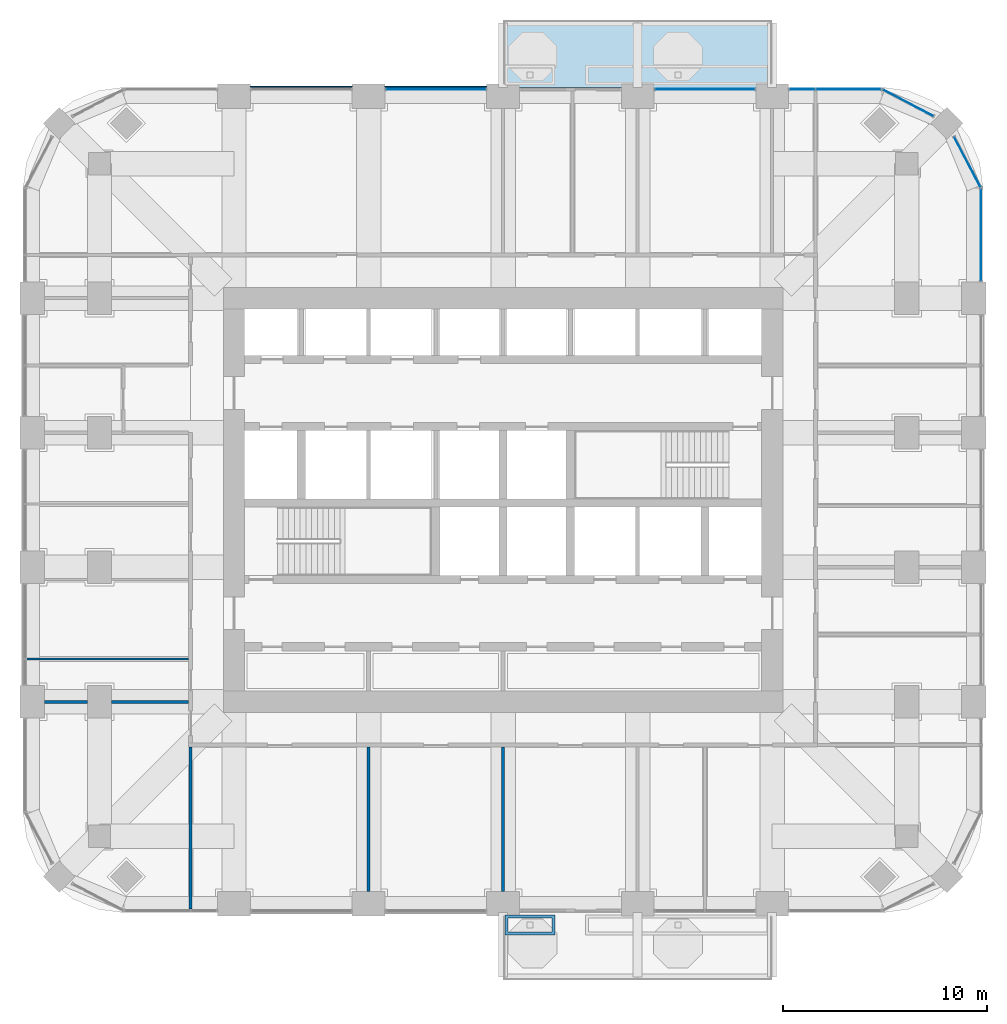
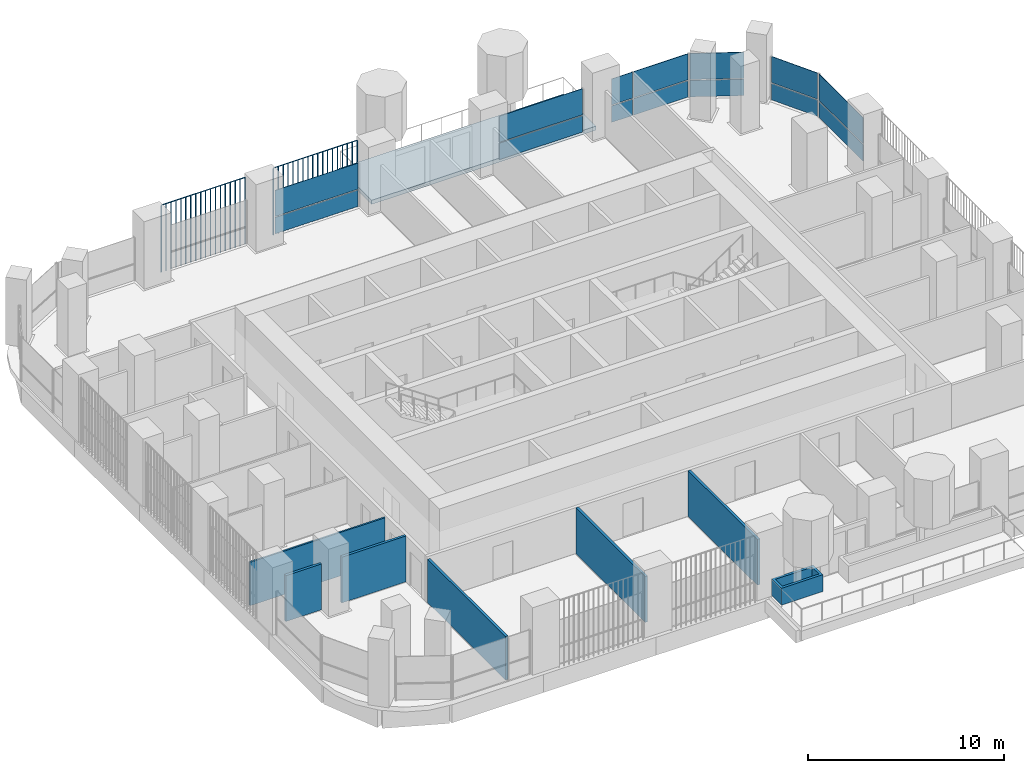
# One storey, part 12 of 20: 16 plates, 7 walls, 1 slab, 6 elements without a shape of their own.
"""IFC4 building model written with IfcOpenShell, lengths in metres."""

from ifc_helpers import new_model, si_unit, direction, frame, frame_2d, origin, origin_2d, place, context, subcontext, project, spatial, polyline, rectangle, outline, extrude, material, layer, layer_set, type_object, element, aggregate, save


model = new_model("IFC4")

# Units and contexts
model_context = context("Model", 3, precision=1e-05, world=origin(), true_north=direction((0.0, 1.0)))
body_context = subcontext(model_context, "Body", "Model", "MODEL_VIEW")
ifc_project = project(units=[si_unit("LENGTHUNIT", "METRE"), si_unit("AREAUNIT", "SQUARE_METRE"), si_unit("VOLUMEUNIT", "CUBIC_METRE"), si_unit("PLANEANGLEUNIT", "RADIAN"), si_unit("MASSUNIT", "GRAM", prefix="KILO")], contexts=[model_context])

# Site, building, storey
site_placement = place(None, origin())
site = spatial("IfcSite", under=ifc_project, at=site_placement, CompositionType="ELEMENT")
building_placement = place(site_placement, origin())
building = spatial("IfcBuilding", under=site, at=building_placement, Name="Cobogo Forest Laboratory Tower", CompositionType="ELEMENT")
storey_placement = place(building_placement, frame((0.0, 0.0, 189.300048828125)))
storey = spatial("IfcBuildingStorey", under=building, at=storey_placement, Name="L43", CompositionType="ELEMENT", Elevation=189.300048828125)

# Slab
ifc_material_1 = material(Name="Concrete HA-40 (C40/50)", Category="concrete")
ifc_layer_1 = layer(ifc_material_1, 0.25)
ifc_layer_set_1 = layer_set([ifc_layer_1], Name="Balcony slab 250")
slab_type = type_object("IfcSlabType", Name="Balcony slab 250", PredefinedType="FLOOR", material=ifc_layer_set_1)
slab_placement = place(storey_placement, frame((0.0, 0.0, -0.25)))
element("IfcSlab", 1, at=slab_placement, inside=storey, type_object=slab_type, Name="Balcony BAL-N1 L43", PredefinedType="FLOOR", context=body_context, shape_type="SweptSolid", body=[
    extrude(outline(polyline([(26.39990234375, 43.35009765625), (39.60009765625, 43.35009765625), (39.60009765625, 46.64990234375), (26.39990234375, 46.64990234375), (26.39990234375, 43.35009765625)])), origin(), (0.0, 0.0, 1.0), 0.25),
])

# Curtain wall, plates
ifc_material_2 = material(Name="Aluminium curtain wall", Category="aluminium")
curtain_wall_type = type_object("IfcCurtainWallType", Name="CW-2 unitised curtain wall, solar control glazing, laboratory floors zones C and D", PredefinedType="USERDEFINED", material=ifc_material_2)
curtain_wall_1_placement = place(storey_placement, origin())
curtain_wall_1 = element("IfcCurtainWall", 2, at=curtain_wall_1_placement, inside=storey, type_object=curtain_wall_type, Name="Curtain wall 13 L43", ObjectType="UNITISED CURTAIN WALL", PredefinedType="USERDEFINED")
ifc_material_3 = material(Name="Solar control insulated glass", Category="glass")
ifc_layer_2 = layer(ifc_material_3, 0.031982421875)
ifc_layer_set_2 = layer_set([ifc_layer_2], Name="GP-2 solar control glass unit 32")
plate_type_1 = type_object("IfcPlateType", Name="GP-2 solar control glass unit 32", PredefinedType="CURTAIN_PANEL", material=ifc_layer_set_2)
plate_1_placement = place(storey_placement, frame((49.85009765625, 36.10009765625, 0.0), z_axis=(0.0, 0.0, 1.0), x_axis=(0.0, 1.0, 0.0)))
plate_1 = element("IfcPlate", 3, at=plate_1_placement, type_object=plate_type_1, Name="CW-2 panel 1.1", PredefinedType="CURTAIN_PANEL", context=body_context, shape_type="SweptSolid", body=[
    extrude(rectangle(XDim=4.47998046875, YDim=0.031982421875, at=origin_2d()), origin(), (0.0, 0.0, 1.0), 1.02001953125),
])
plate_2_placement = place(storey_placement, frame((49.85009765625, 36.10009765625, 1.079833984375), z_axis=(0.0, 0.0, 1.0), x_axis=(0.0, 1.0, 0.0)))
plate_2 = element("IfcPlate", 4, at=plate_2_placement, type_object=plate_type_1, Name="CW-2 panel 1.2", PredefinedType="CURTAIN_PANEL", context=body_context, shape_type="SweptSolid", body=[
    extrude(rectangle(XDim=4.47998046875, YDim=0.031982421875, at=origin_2d()), origin(), (0.0, 0.0, 1.0), 1.6201171875),
])
aggregate(curtain_wall_1, [plate_1, plate_2])

curtain_wall_2_placement = place(storey_placement, origin())
curtain_wall_2 = element("IfcCurtainWall", 5, at=curtain_wall_2_placement, inside=storey, type_object=curtain_wall_type, Name="Curtain wall 14 L43", ObjectType="UNITISED CURTAIN WALL", PredefinedType="USERDEFINED")
plate_3_placement = place(storey_placement, frame((49.181396484375, 39.675537109375, 0.0), z_axis=(0.0, 0.0, 1.0), x_axis=(-0.464283804832, 0.885686484356, 0.0)))
plate_3 = element("IfcPlate", 6, at=plate_3_placement, type_object=plate_type_1, Name="CW-2 panel 1.1", PredefinedType="CURTAIN_PANEL", context=body_context, shape_type="SweptSolid", body=[
    extrude(rectangle(XDim=2.76025390625, YDim=0.031982421875, at=origin_2d()), origin(), (0.0, 0.0, 1.0), 1.02001953125),
])
plate_4_placement = place(storey_placement, frame((49.181396484375, 39.675537109375, 1.079833984375), z_axis=(0.0, 0.0, 1.0), x_axis=(-0.464283804832, 0.885686484356, 0.0)))
plate_4 = element("IfcPlate", 7, at=plate_4_placement, type_object=plate_type_1, Name="CW-2 panel 1.2", PredefinedType="CURTAIN_PANEL", context=body_context, shape_type="SweptSolid", body=[
    extrude(rectangle(XDim=2.76025390625, YDim=0.031982421875, at=origin_2d()), origin(), (0.0, 0.0, 1.0), 1.6201171875),
])
aggregate(curtain_wall_2, [plate_3, plate_4])

curtain_wall_3_placement = place(storey_placement, origin())
curtain_wall_3 = element("IfcCurtainWall", 8, at=curtain_wall_3_placement, inside=storey, type_object=curtain_wall_type, Name="Curtain wall 15 L43", ObjectType="UNITISED CURTAIN WALL", PredefinedType="USERDEFINED")
plate_5_placement = place(storey_placement, frame((46.275634765625, 42.581298828125, 0.0), z_axis=(0.0, 0.0, 1.0), x_axis=(-0.885686484356, 0.464283804832, 0.0)))
plate_5 = element("IfcPlate", 9, at=plate_5_placement, type_object=plate_type_1, Name="CW-2 panel 1.1", PredefinedType="CURTAIN_PANEL", context=body_context, shape_type="SweptSolid", body=[
    extrude(rectangle(XDim=2.76025390625, YDim=0.031982421875, at=origin_2d()), origin(), (0.0, 0.0, 1.0), 1.02001953125),
])
plate_6_placement = place(storey_placement, frame((46.275634765625, 42.581298828125, 1.079833984375), z_axis=(0.0, 0.0, 1.0), x_axis=(-0.885686484356, 0.464283804832, 0.0)))
plate_6 = element("IfcPlate", 10, at=plate_6_placement, type_object=plate_type_1, Name="CW-2 panel 1.2", PredefinedType="CURTAIN_PANEL", context=body_context, shape_type="SweptSolid", body=[
    extrude(rectangle(XDim=2.76025390625, YDim=0.031982421875, at=origin_2d()), origin(), (0.0, 0.0, 1.0), 1.6201171875),
])
aggregate(curtain_wall_3, [plate_5, plate_6])

curtain_wall_4_placement = place(storey_placement, origin())
curtain_wall_4 = element("IfcCurtainWall", 11, at=curtain_wall_4_placement, inside=storey, type_object=curtain_wall_type, Name="Curtain wall 16 L43", ObjectType="UNITISED CURTAIN WALL", PredefinedType="USERDEFINED")
plate_7_placement = place(storey_placement, frame((43.347412109375, 43.25, 0.0), z_axis=(0.0, 0.0, 1.0), x_axis=(-1.0, 0.0, 0.0)))
plate_7 = element("IfcPlate", 12, at=plate_7_placement, type_object=plate_type_1, Name="CW-2 panel 1.1", PredefinedType="CURTAIN_PANEL", context=body_context, shape_type="SweptSolid", body=[
    extrude(rectangle(XDim=3.18505859375, YDim=0.031982421875, at=origin_2d()), origin(), (0.0, 0.0, 1.0), 1.02001953125),
])
plate_8_placement = place(storey_placement, frame((43.347412109375, 43.25, 1.079833984375), z_axis=(0.0, 0.0, 1.0), x_axis=(-1.0, 0.0, 0.0)))
plate_8 = element("IfcPlate", 13, at=plate_8_placement, type_object=plate_type_1, Name="CW-2 panel 1.2", PredefinedType="CURTAIN_PANEL", context=body_context, shape_type="SweptSolid", body=[
    extrude(rectangle(XDim=3.18505859375, YDim=0.031982421875, at=origin_2d()), origin(), (0.0, 0.0, 1.0), 1.6201171875),
])
plate_9_placement = place(storey_placement, frame((41.077392578125, 43.25, 0.0), z_axis=(0.0, 0.0, 1.0), x_axis=(-1.0, 0.0, 0.0)))
plate_9 = element("IfcPlate", 14, at=plate_9_placement, type_object=plate_type_1, Name="CW-2 panel 2.1", PredefinedType="CURTAIN_PANEL", context=body_context, shape_type="SweptSolid", body=[
    extrude(rectangle(XDim=1.235107421875, YDim=0.031982421875, at=origin_2d()), origin(), (0.0, 0.0, 1.0), 1.02001953125),
])
plate_10_placement = place(storey_placement, frame((41.077392578125, 43.25, 1.079833984375), z_axis=(0.0, 0.0, 1.0), x_axis=(-1.0, 0.0, 0.0)))
plate_10 = element("IfcPlate", 15, at=plate_10_placement, type_object=plate_type_1, Name="CW-2 panel 2.2", PredefinedType="CURTAIN_PANEL", context=body_context, shape_type="SweptSolid", body=[
    extrude(rectangle(XDim=1.235107421875, YDim=0.031982421875, at=origin_2d()), origin(), (0.0, 0.0, 1.0), 1.6201171875),
])
aggregate(curtain_wall_4, [plate_7, plate_8, plate_9, plate_10])

curtain_wall_5_placement = place(storey_placement, origin())
curtain_wall_5 = element("IfcCurtainWall", 16, at=curtain_wall_5_placement, inside=storey, type_object=curtain_wall_type, Name="Curtain wall 17 L43", ObjectType="UNITISED CURTAIN WALL", PredefinedType="USERDEFINED")
plate_11_placement = place(storey_placement, frame((36.300048828125, 43.25, 0.0), z_axis=(0.0, 0.0, 1.0), x_axis=(-1.0, 0.0, 0.0)))
plate_11 = element("IfcPlate", 17, at=plate_11_placement, type_object=plate_type_1, Name="CW-2 panel 1.1", PredefinedType="CURTAIN_PANEL", context=body_context, shape_type="SweptSolid", body=[
    extrude(rectangle(XDim=4.8798828125, YDim=0.031982421875, at=origin_2d()), origin(), (0.0, 0.0, 1.0), 1.02001953125),
])
plate_12_placement = place(storey_placement, frame((36.300048828125, 43.25, 1.079833984375), z_axis=(0.0, 0.0, 1.0), x_axis=(-1.0, 0.0, 0.0)))
plate_12 = element("IfcPlate", 18, at=plate_12_placement, type_object=plate_type_1, Name="CW-2 panel 1.2", PredefinedType="CURTAIN_PANEL", context=body_context, shape_type="SweptSolid", body=[
    extrude(rectangle(XDim=4.8798828125, YDim=0.031982421875, at=origin_2d()), origin(), (0.0, 0.0, 1.0), 1.6201171875),
])
aggregate(curtain_wall_5, [plate_11, plate_12])

curtain_wall_6_placement = place(storey_placement, origin())
curtain_wall_6 = element("IfcCurtainWall", 19, at=curtain_wall_6_placement, inside=storey, type_object=curtain_wall_type, Name="Curtain wall 19 L43", ObjectType="UNITISED CURTAIN WALL", PredefinedType="USERDEFINED")
plate_13_placement = place(storey_placement, frame((23.10009765625, 43.25, 0.0), z_axis=(0.0, 0.0, 1.0), x_axis=(-1.0, 0.0, 0.0)))
plate_13 = element("IfcPlate", 20, at=plate_13_placement, type_object=plate_type_1, Name="CW-2 panel 1.1", PredefinedType="CURTAIN_PANEL", context=body_context, shape_type="SweptSolid", body=[
    extrude(rectangle(XDim=4.8798828125, YDim=0.031982421875, at=origin_2d()), origin(), (0.0, 0.0, 1.0), 1.02001953125),
])
plate_14_placement = place(storey_placement, frame((23.10009765625, 43.25, 1.079833984375), z_axis=(0.0, 0.0, 1.0), x_axis=(-1.0, 0.0, 0.0)))
plate_14 = element("IfcPlate", 21, at=plate_14_placement, type_object=plate_type_1, Name="CW-2 panel 1.2", PredefinedType="CURTAIN_PANEL", context=body_context, shape_type="SweptSolid", body=[
    extrude(rectangle(XDim=4.8798828125, YDim=0.031982421875, at=origin_2d()), origin(), (0.0, 0.0, 1.0), 1.6201171875),
])
aggregate(curtain_wall_6, [plate_13, plate_14])

# Plates
ifc_material_4 = material(Name="Terracotta", Category="masonry")
plate_type_2 = type_object("IfcPlateType", Name="TB1 terracotta baguette screen", PredefinedType="USERDEFINED", material=ifc_material_4)
plate_15_placement = place(storey_placement, frame((14.03125, 43.3779296875, -0.150146484375)))
element("IfcPlate", 22, at=plate_15_placement, inside=storey, type_object=plate_type_2, Name="Baguette screen N1 L43", ObjectType="BAGUETTE SCREEN", PredefinedType="USERDEFINED", context=body_context, shape_type="SweptSolid", body=[
    extrude(outline(polyline([(0.02880859375, 0.011962890625), (0.011962890625, 0.02880859375), (-0.011962890625, 0.02880859375), (-0.02880859375, 0.011962890625), (-0.02880859375, -0.011962890625), (-0.011962890625, -0.02880859375), (0.011962890625, -0.02880859375), (0.02880859375, -0.011962890625), (0.02880859375, 0.011962890625)])), frame((0.0, 0.0, 4.168701171875), z_axis=(1.0, 0.0, 0.0), x_axis=(0.0, 1.0, 0.0)), (0.0, 0.0, 1.0), 4.9375),
    extrude(outline(polyline([(0.02880859375, 0.011962890625), (0.011962890625, 0.02880859375), (-0.011962890625, 0.02880859375), (-0.02880859375, 0.011962890625), (-0.02880859375, -0.011962890625), (-0.011962890625, -0.02880859375), (0.011962890625, -0.02880859375), (0.02880859375, -0.011962890625), (0.02880859375, 0.011962890625)])), origin(), (0.0, 0.0, 1.0), 4.137451171875),
    extrude(outline(polyline([(0.02880859375, 0.011962890625), (0.011962890625, 0.02880859375), (-0.011962890625, 0.02880859375), (-0.02880859375, 0.011962890625), (-0.02880859375, -0.011962890625), (-0.011962890625, -0.02880859375), (0.011962890625, -0.02880859375), (0.02880859375, -0.011962890625), (0.02880859375, 0.011962890625)])), frame((0.29052734375, 0.0, 0.0)), (0.0, 0.0, 1.0), 4.137451171875),
    extrude(outline(polyline([(0.02880859375, 0.011962890625), (0.011962890625, 0.02880859375), (-0.011962890625, 0.02880859375), (-0.02880859375, 0.011962890625), (-0.02880859375, -0.011962890625), (-0.011962890625, -0.02880859375), (0.011962890625, -0.02880859375), (0.02880859375, -0.011962890625), (0.02880859375, 0.011962890625)])), frame((0.580810546875, 0.0, 0.0)), (0.0, 0.0, 1.0), 4.137451171875),
    extrude(outline(polyline([(0.02880859375, 0.011962890625), (0.011962890625, 0.02880859375), (-0.011962890625, 0.02880859375), (-0.02880859375, 0.011962890625), (-0.02880859375, -0.011962890625), (-0.011962890625, -0.02880859375), (0.011962890625, -0.02880859375), (0.02880859375, -0.011962890625), (0.02880859375, 0.011962890625)])), frame((0.871337890625, 0.0, 0.0)), (0.0, 0.0, 1.0), 4.137451171875),
    extrude(outline(polyline([(0.02880859375, 0.011962890625), (0.011962890625, 0.02880859375), (-0.011962890625, 0.02880859375), (-0.02880859375, 0.011962890625), (-0.02880859375, -0.011962890625), (-0.011962890625, -0.02880859375), (0.011962890625, -0.02880859375), (0.02880859375, -0.011962890625), (0.02880859375, 0.011962890625)])), frame((1.161865234375, 0.0, 0.0)), (0.0, 0.0, 1.0), 4.137451171875),
    extrude(outline(polyline([(0.02880859375, 0.011962890625), (0.011962890625, 0.02880859375), (-0.011962890625, 0.02880859375), (-0.02880859375, 0.011962890625), (-0.02880859375, -0.011962890625), (-0.011962890625, -0.02880859375), (0.011962890625, -0.02880859375), (0.02880859375, -0.011962890625), (0.02880859375, 0.011962890625)])), frame((1.4521484375, 0.0, 0.0)), (0.0, 0.0, 1.0), 4.137451171875),
    extrude(outline(polyline([(0.02880859375, 0.011962890625), (0.011962890625, 0.02880859375), (-0.011962890625, 0.02880859375), (-0.02880859375, 0.011962890625), (-0.02880859375, -0.011962890625), (-0.011962890625, -0.02880859375), (0.011962890625, -0.02880859375), (0.02880859375, -0.011962890625), (0.02880859375, 0.011962890625)])), frame((1.74267578125, 0.0, 0.0)), (0.0, 0.0, 1.0), 4.137451171875),
    extrude(outline(polyline([(0.02880859375, 0.011962890625), (0.011962890625, 0.02880859375), (-0.011962890625, 0.02880859375), (-0.02880859375, 0.011962890625), (-0.02880859375, -0.011962890625), (-0.011962890625, -0.02880859375), (0.011962890625, -0.02880859375), (0.02880859375, -0.011962890625), (0.02880859375, 0.011962890625)])), frame((2.033203125, 0.0, 0.0)), (0.0, 0.0, 1.0), 4.137451171875),
    extrude(outline(polyline([(0.02880859375, 0.011962890625), (0.011962890625, 0.02880859375), (-0.011962890625, 0.02880859375), (-0.02880859375, 0.011962890625), (-0.02880859375, -0.011962890625), (-0.011962890625, -0.02880859375), (0.011962890625, -0.02880859375), (0.02880859375, -0.011962890625), (0.02880859375, 0.011962890625)])), frame((2.323486328125, 0.0, 0.0)), (0.0, 0.0, 1.0), 4.137451171875),
    extrude(outline(polyline([(0.02880859375, 0.011962890625), (0.011962890625, 0.02880859375), (-0.011962890625, 0.02880859375), (-0.02880859375, 0.011962890625), (-0.02880859375, -0.011962890625), (-0.011962890625, -0.02880859375), (0.011962890625, -0.02880859375), (0.02880859375, -0.011962890625), (0.02880859375, 0.011962890625)])), frame((2.614013671875, 0.0, 0.0)), (0.0, 0.0, 1.0), 4.137451171875),
    extrude(outline(polyline([(0.02880859375, 0.011962890625), (0.011962890625, 0.02880859375), (-0.011962890625, 0.02880859375), (-0.02880859375, 0.011962890625), (-0.02880859375, -0.011962890625), (-0.011962890625, -0.02880859375), (0.011962890625, -0.02880859375), (0.02880859375, -0.011962890625), (0.02880859375, 0.011962890625)])), frame((2.904296875, 0.0, 0.0)), (0.0, 0.0, 1.0), 4.137451171875),
    extrude(outline(polyline([(0.02880859375, 0.011962890625), (0.011962890625, 0.02880859375), (-0.011962890625, 0.02880859375), (-0.02880859375, 0.011962890625), (-0.02880859375, -0.011962890625), (-0.011962890625, -0.02880859375), (0.011962890625, -0.02880859375), (0.02880859375, -0.011962890625), (0.02880859375, 0.011962890625)])), frame((3.19482421875, 0.0, 0.0)), (0.0, 0.0, 1.0), 4.137451171875),
    extrude(outline(polyline([(0.02880859375, 0.011962890625), (0.011962890625, 0.02880859375), (-0.011962890625, 0.02880859375), (-0.02880859375, 0.011962890625), (-0.02880859375, -0.011962890625), (-0.011962890625, -0.02880859375), (0.011962890625, -0.02880859375), (0.02880859375, -0.011962890625), (0.02880859375, 0.011962890625)])), frame((3.4853515625, 0.0, 0.0)), (0.0, 0.0, 1.0), 4.137451171875),
    extrude(outline(polyline([(0.02880859375, 0.011962890625), (0.011962890625, 0.02880859375), (-0.011962890625, 0.02880859375), (-0.02880859375, 0.011962890625), (-0.02880859375, -0.011962890625), (-0.011962890625, -0.02880859375), (0.011962890625, -0.02880859375), (0.02880859375, -0.011962890625), (0.02880859375, 0.011962890625)])), frame((3.775634765625, 0.0, 0.0)), (0.0, 0.0, 1.0), 4.137451171875),
    extrude(outline(polyline([(0.02880859375, 0.011962890625), (0.011962890625, 0.02880859375), (-0.011962890625, 0.02880859375), (-0.02880859375, 0.011962890625), (-0.02880859375, -0.011962890625), (-0.011962890625, -0.02880859375), (0.011962890625, -0.02880859375), (0.02880859375, -0.011962890625), (0.02880859375, 0.011962890625)])), frame((4.066162109375, 0.0, 0.0)), (0.0, 0.0, 1.0), 4.137451171875),
    extrude(outline(polyline([(0.02880859375, 0.011962890625), (0.011962890625, 0.02880859375), (-0.011962890625, 0.02880859375), (-0.02880859375, 0.011962890625), (-0.02880859375, -0.011962890625), (-0.011962890625, -0.02880859375), (0.011962890625, -0.02880859375), (0.02880859375, -0.011962890625), (0.02880859375, 0.011962890625)])), frame((4.356689453125, 0.0, 0.0)), (0.0, 0.0, 1.0), 4.137451171875),
    extrude(outline(polyline([(0.02880859375, 0.011962890625), (0.011962890625, 0.02880859375), (-0.011962890625, 0.02880859375), (-0.02880859375, 0.011962890625), (-0.02880859375, -0.011962890625), (-0.011962890625, -0.02880859375), (0.011962890625, -0.02880859375), (0.02880859375, -0.011962890625), (0.02880859375, 0.011962890625)])), frame((4.64697265625, 0.0, 0.0)), (0.0, 0.0, 1.0), 4.137451171875),
    extrude(outline(polyline([(0.02880859375, 0.011962890625), (0.011962890625, 0.02880859375), (-0.011962890625, 0.02880859375), (-0.02880859375, 0.011962890625), (-0.02880859375, -0.011962890625), (-0.011962890625, -0.02880859375), (0.011962890625, -0.02880859375), (0.02880859375, -0.011962890625), (0.02880859375, 0.011962890625)])), frame((4.9375, 0.0, 0.0)), (0.0, 0.0, 1.0), 4.137451171875),
])
plate_16_placement = place(storey_placement, frame((20.63134765625, 43.3779296875, -0.150146484375)))
element("IfcPlate", 23, at=plate_16_placement, inside=storey, type_object=plate_type_2, Name="Baguette screen N2 L43", ObjectType="BAGUETTE SCREEN", PredefinedType="USERDEFINED", context=body_context, shape_type="SweptSolid", body=[
    extrude(outline(polyline([(0.02880859375, 0.011962890625), (0.011962890625, 0.02880859375), (-0.011962890625, 0.02880859375), (-0.02880859375, 0.011962890625), (-0.02880859375, -0.011962890625), (-0.011962890625, -0.02880859375), (0.011962890625, -0.02880859375), (0.02880859375, -0.011962890625), (0.02880859375, 0.011962890625)])), frame((0.0, 0.0, 4.168701171875), z_axis=(1.0, 0.0, 0.0), x_axis=(0.0, 1.0, 0.0)), (0.0, 0.0, 1.0), 4.9375),
    extrude(outline(polyline([(0.02880859375, 0.011962890625), (0.011962890625, 0.02880859375), (-0.011962890625, 0.02880859375), (-0.02880859375, 0.011962890625), (-0.02880859375, -0.011962890625), (-0.011962890625, -0.02880859375), (0.011962890625, -0.02880859375), (0.02880859375, -0.011962890625), (0.02880859375, 0.011962890625)])), origin(), (0.0, 0.0, 1.0), 4.137451171875),
    extrude(outline(polyline([(0.02880859375, 0.011962890625), (0.011962890625, 0.02880859375), (-0.011962890625, 0.02880859375), (-0.02880859375, 0.011962890625), (-0.02880859375, -0.011962890625), (-0.011962890625, -0.02880859375), (0.011962890625, -0.02880859375), (0.02880859375, -0.011962890625), (0.02880859375, 0.011962890625)])), frame((0.29052734375, 0.0, 0.0)), (0.0, 0.0, 1.0), 4.137451171875),
    extrude(outline(polyline([(0.02880859375, 0.011962890625), (0.011962890625, 0.02880859375), (-0.011962890625, 0.02880859375), (-0.02880859375, 0.011962890625), (-0.02880859375, -0.011962890625), (-0.011962890625, -0.02880859375), (0.011962890625, -0.02880859375), (0.02880859375, -0.011962890625), (0.02880859375, 0.011962890625)])), frame((0.580810546875, 0.0, 0.0)), (0.0, 0.0, 1.0), 4.137451171875),
    extrude(outline(polyline([(0.02880859375, 0.011962890625), (0.011962890625, 0.02880859375), (-0.011962890625, 0.02880859375), (-0.02880859375, 0.011962890625), (-0.02880859375, -0.011962890625), (-0.011962890625, -0.02880859375), (0.011962890625, -0.02880859375), (0.02880859375, -0.011962890625), (0.02880859375, 0.011962890625)])), frame((0.871337890625, 0.0, 0.0)), (0.0, 0.0, 1.0), 4.137451171875),
    extrude(outline(polyline([(0.02880859375, 0.011962890625), (0.011962890625, 0.02880859375), (-0.011962890625, 0.02880859375), (-0.02880859375, 0.011962890625), (-0.02880859375, -0.011962890625), (-0.011962890625, -0.02880859375), (0.011962890625, -0.02880859375), (0.02880859375, -0.011962890625), (0.02880859375, 0.011962890625)])), frame((1.161865234375, 0.0, 0.0)), (0.0, 0.0, 1.0), 4.137451171875),
    extrude(outline(polyline([(0.02880859375, 0.011962890625), (0.011962890625, 0.02880859375), (-0.011962890625, 0.02880859375), (-0.02880859375, 0.011962890625), (-0.02880859375, -0.011962890625), (-0.011962890625, -0.02880859375), (0.011962890625, -0.02880859375), (0.02880859375, -0.011962890625), (0.02880859375, 0.011962890625)])), frame((1.4521484375, 0.0, 0.0)), (0.0, 0.0, 1.0), 4.137451171875),
    extrude(outline(polyline([(0.02880859375, 0.011962890625), (0.011962890625, 0.02880859375), (-0.011962890625, 0.02880859375), (-0.02880859375, 0.011962890625), (-0.02880859375, -0.011962890625), (-0.011962890625, -0.02880859375), (0.011962890625, -0.02880859375), (0.02880859375, -0.011962890625), (0.02880859375, 0.011962890625)])), frame((1.74267578125, 0.0, 0.0)), (0.0, 0.0, 1.0), 4.137451171875),
    extrude(outline(polyline([(0.02880859375, 0.011962890625), (0.011962890625, 0.02880859375), (-0.011962890625, 0.02880859375), (-0.02880859375, 0.011962890625), (-0.02880859375, -0.011962890625), (-0.011962890625, -0.02880859375), (0.011962890625, -0.02880859375), (0.02880859375, -0.011962890625), (0.02880859375, 0.011962890625)])), frame((2.033203125, 0.0, 0.0)), (0.0, 0.0, 1.0), 4.137451171875),
    extrude(outline(polyline([(0.02880859375, 0.011962890625), (0.011962890625, 0.02880859375), (-0.011962890625, 0.02880859375), (-0.02880859375, 0.011962890625), (-0.02880859375, -0.011962890625), (-0.011962890625, -0.02880859375), (0.011962890625, -0.02880859375), (0.02880859375, -0.011962890625), (0.02880859375, 0.011962890625)])), frame((2.323486328125, 0.0, 0.0)), (0.0, 0.0, 1.0), 4.137451171875),
    extrude(outline(polyline([(0.02880859375, 0.011962890625), (0.011962890625, 0.02880859375), (-0.011962890625, 0.02880859375), (-0.02880859375, 0.011962890625), (-0.02880859375, -0.011962890625), (-0.011962890625, -0.02880859375), (0.011962890625, -0.02880859375), (0.02880859375, -0.011962890625), (0.02880859375, 0.011962890625)])), frame((2.614013671875, 0.0, 0.0)), (0.0, 0.0, 1.0), 4.137451171875),
    extrude(outline(polyline([(0.02880859375, 0.011962890625), (0.011962890625, 0.02880859375), (-0.011962890625, 0.02880859375), (-0.02880859375, 0.011962890625), (-0.02880859375, -0.011962890625), (-0.011962890625, -0.02880859375), (0.011962890625, -0.02880859375), (0.02880859375, -0.011962890625), (0.02880859375, 0.011962890625)])), frame((2.904296875, 0.0, 0.0)), (0.0, 0.0, 1.0), 4.137451171875),
    extrude(outline(polyline([(0.02880859375, 0.011962890625), (0.011962890625, 0.02880859375), (-0.011962890625, 0.02880859375), (-0.02880859375, 0.011962890625), (-0.02880859375, -0.011962890625), (-0.011962890625, -0.02880859375), (0.011962890625, -0.02880859375), (0.02880859375, -0.011962890625), (0.02880859375, 0.011962890625)])), frame((3.19482421875, 0.0, 0.0)), (0.0, 0.0, 1.0), 4.137451171875),
    extrude(outline(polyline([(0.02880859375, 0.011962890625), (0.011962890625, 0.02880859375), (-0.011962890625, 0.02880859375), (-0.02880859375, 0.011962890625), (-0.02880859375, -0.011962890625), (-0.011962890625, -0.02880859375), (0.011962890625, -0.02880859375), (0.02880859375, -0.011962890625), (0.02880859375, 0.011962890625)])), frame((3.4853515625, 0.0, 0.0)), (0.0, 0.0, 1.0), 4.137451171875),
    extrude(outline(polyline([(0.02880859375, 0.011962890625), (0.011962890625, 0.02880859375), (-0.011962890625, 0.02880859375), (-0.02880859375, 0.011962890625), (-0.02880859375, -0.011962890625), (-0.011962890625, -0.02880859375), (0.011962890625, -0.02880859375), (0.02880859375, -0.011962890625), (0.02880859375, 0.011962890625)])), frame((3.775634765625, 0.0, 0.0)), (0.0, 0.0, 1.0), 4.137451171875),
    extrude(outline(polyline([(0.02880859375, 0.011962890625), (0.011962890625, 0.02880859375), (-0.011962890625, 0.02880859375), (-0.02880859375, 0.011962890625), (-0.02880859375, -0.011962890625), (-0.011962890625, -0.02880859375), (0.011962890625, -0.02880859375), (0.02880859375, -0.011962890625), (0.02880859375, 0.011962890625)])), frame((4.066162109375, 0.0, 0.0)), (0.0, 0.0, 1.0), 4.137451171875),
    extrude(outline(polyline([(0.02880859375, 0.011962890625), (0.011962890625, 0.02880859375), (-0.011962890625, 0.02880859375), (-0.02880859375, 0.011962890625), (-0.02880859375, -0.011962890625), (-0.011962890625, -0.02880859375), (0.011962890625, -0.02880859375), (0.02880859375, -0.011962890625), (0.02880859375, 0.011962890625)])), frame((4.356689453125, 0.0, 0.0)), (0.0, 0.0, 1.0), 4.137451171875),
    extrude(outline(polyline([(0.02880859375, 0.011962890625), (0.011962890625, 0.02880859375), (-0.011962890625, 0.02880859375), (-0.02880859375, 0.011962890625), (-0.02880859375, -0.011962890625), (-0.011962890625, -0.02880859375), (0.011962890625, -0.02880859375), (0.02880859375, -0.011962890625), (0.02880859375, 0.011962890625)])), frame((4.64697265625, 0.0, 0.0)), (0.0, 0.0, 1.0), 4.137451171875),
    extrude(outline(polyline([(0.02880859375, 0.011962890625), (0.011962890625, 0.02880859375), (-0.011962890625, 0.02880859375), (-0.02880859375, 0.011962890625), (-0.02880859375, -0.011962890625), (-0.011962890625, -0.02880859375), (0.011962890625, -0.02880859375), (0.02880859375, -0.011962890625), (0.02880859375, 0.011962890625)])), frame((4.9375, 0.0, 0.0)), (0.0, 0.0, 1.0), 4.137451171875),
])

# Walls
ifc_material_5 = material(Name="Gypsum board on steel studs", Category="steel")
ifc_layer_3 = layer(ifc_material_5, 0.14990234375)
ifc_layer_set_3 = layer_set([ifc_layer_3], Name="PT1 laboratory partition 150")
wall_type_1 = type_object("IfcWallType", Name="PT1 laboratory partition 150", PredefinedType="PARTITIONING", material=ifc_layer_set_3)
wall_1_placement = place(storey_placement, frame((11.074951171875, 3.030029296875, 0.0), z_axis=(0.0, 0.0, 1.0), x_axis=(0.0, 1.0, 0.0)))
element("IfcWall", 24, at=wall_1_placement, inside=storey, type_object=wall_type_1, Name="Partition PW-SW L43", PredefinedType="PARTITIONING", context=body_context, shape_type="SweptSolid", body=[
    extrude(rectangle(XDim=7.945068359375, YDim=0.14990234375, at=frame_2d((3.97265625, 0.0))), origin(), (0.0, 0.0, 1.0), 2.699951171875),
])
for number, where, z_axis, x_axis, name in (
    (25, (19.800048828125, 3.89990234375, 0.0), (0.0, 0.0, 1.0), (0.0, 1.0, 0.0), "Partition CUT-S19.8-1 L43"),
    (26, (26.39990234375, 3.89990234375, 0.0), (0.0, 0.0, 1.0), (0.0, 1.0, 0.0), "Partition CUT-S26.4-1 L43"),
):
    element("IfcWall", number, at=place(storey_placement, frame(where, z_axis=z_axis, x_axis=x_axis)), inside=storey, type_object=wall_type_1, Name=name, PredefinedType="PARTITIONING", context=body_context, shape_type="SweptSolid", body=[
        extrude(rectangle(XDim=7.0751953125, YDim=0.14990234375, at=frame_2d((3.53759765625, 0.0))), origin(), (0.0, 0.0, 1.0), 2.849853515625),
    ])
wall_2_placement = place(storey_placement, frame((3.89990234375, 13.199951171875, 0.0), z_axis=(0.0, 0.0, 1.0), x_axis=(1.0, 0.0, 0.0)))
element("IfcWall", 27, at=wall_2_placement, inside=storey, type_object=wall_type_1, Name="Partition CUT-W13.2-1 L43", PredefinedType="PARTITIONING", context=body_context, shape_type="SweptSolid", body=[
    extrude(rectangle(XDim=2.10009765625, YDim=0.14990234375, at=frame_2d((1.050048828125, 0.0))), origin(), (0.0, 0.0, 1.0), 2.849853515625),
])
wall_3_placement = place(storey_placement, frame((7.199951171875, 13.199951171875, 0.0), z_axis=(0.0, 0.0, 1.0), x_axis=(1.0, 0.0, 0.0)))
element("IfcWall", 28, at=wall_3_placement, inside=storey, type_object=wall_type_1, Name="Partition CUT-W13.2-2 L43", PredefinedType="PARTITIONING", context=body_context, shape_type="SweptSolid", body=[
    extrude(rectangle(XDim=3.775146484375, YDim=0.14990234375, at=frame_2d((1.8876953125, 0.0))), origin(), (0.0, 0.0, 1.0), 2.849853515625),
])
ifc_layer_4 = layer(ifc_material_5, 0.10009765625)
ifc_layer_set_4 = layer_set([ifc_layer_4], Name="PT3 toilet partition 100")
wall_type_2 = type_object("IfcWallType", Name="PT3 toilet partition 100", PredefinedType="PARTITIONING", material=ifc_layer_set_4)
wall_4_placement = place(storey_placement, frame((3.030029296875, 15.300048828125, 0.0), z_axis=(0.0, 0.0, 1.0), x_axis=(1.0, 0.0, 0.0)))
element("IfcWall", 29, at=wall_4_placement, inside=storey, type_object=wall_type_2, Name="Partition SVC-W1-1 L43", PredefinedType="PARTITIONING", context=body_context, shape_type="SweptSolid", body=[
    extrude(rectangle(XDim=7.945068359375, YDim=0.10009765625, at=frame_2d((3.97265625, 0.0))), origin(), (0.0, 0.0, 1.0), 2.699951171875),
])
ifc_layer_5 = layer(ifc_material_1, 0.14990234375)
ifc_layer_set_5 = layer_set([ifc_layer_5], Name="Planter box 1000x1050")
wall_type_3 = type_object("IfcWallType", Name="Planter box 1000x1050", PredefinedType="USERDEFINED", material=ifc_layer_set_5)
wall_5_placement = place(storey_placement, origin())
element("IfcWall", 30, at=wall_5_placement, inside=storey, type_object=wall_type_3, Name="Planter BAL-S1-1 L43", ObjectType="PLANTER", PredefinedType="USERDEFINED", context=body_context, shape_type="SweptSolid", body=[
    extrude(outline(polyline([(26.5, 1.75), (28.949951171875, 1.75), (28.949951171875, 2.75), (26.5, 2.75), (26.5, 1.75)]), holes=[polyline([(26.64990234375, 1.89990234375), (28.800048828125, 1.89990234375), (28.800048828125, 2.60009765625), (26.64990234375, 2.60009765625), (26.64990234375, 1.89990234375)])]), origin(), (0.0, 0.0, 1.0), 1.050048828125),
])

save(model, "model.ifc")
